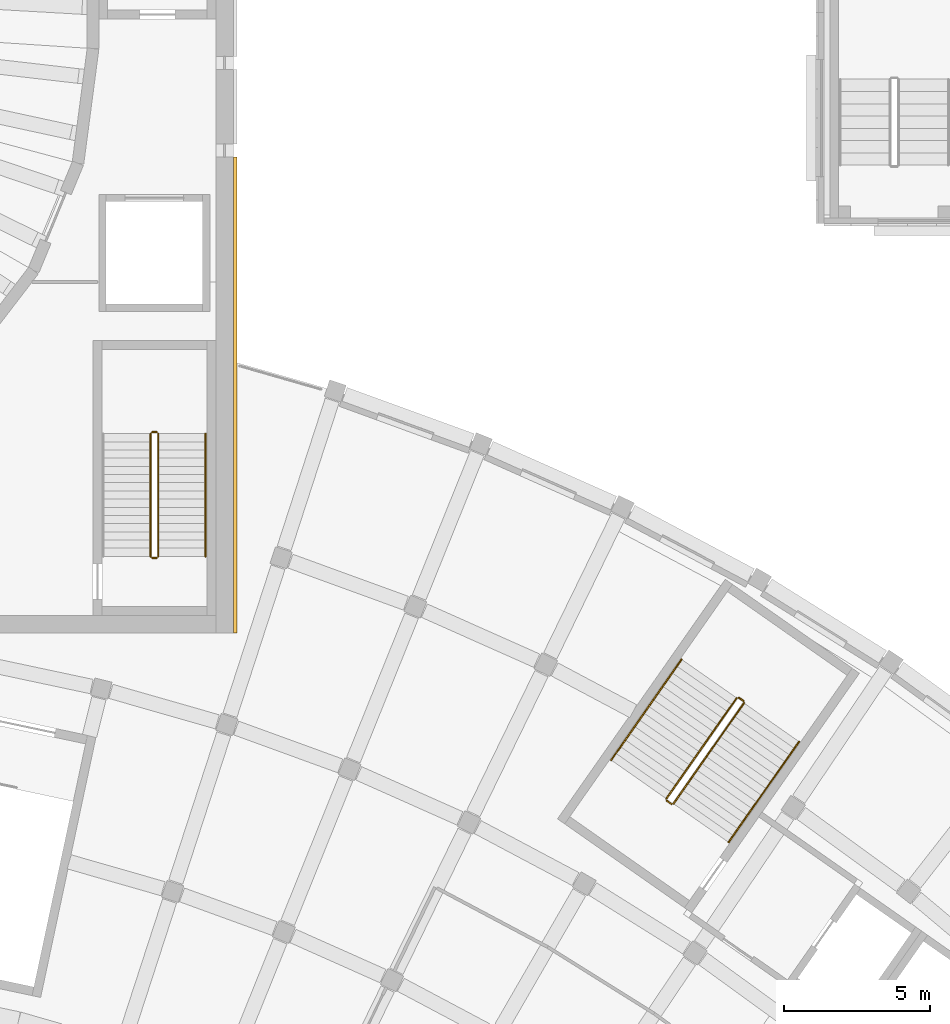
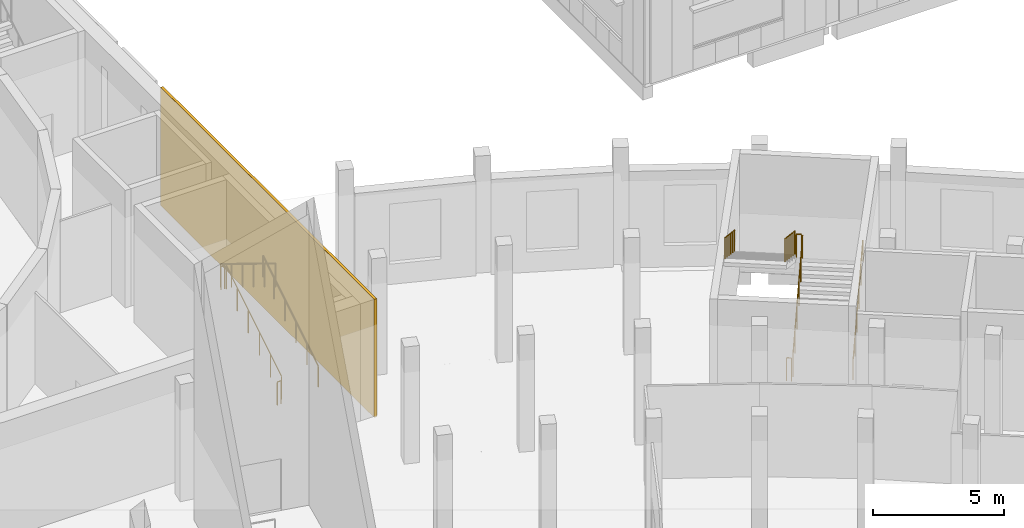
# One storey, part 61 of 87: 11 railings, 1 covering.
"""IFC4 building model written with IfcOpenShell, lengths in metres."""

from ifc_helpers import new_model, si_unit, direction, frame, origin, origin_2d, place, context, subcontext, project, spatial, rectangle, circle, extrude, material, layer, layer_set, type_object, element, save


model = new_model("IFC4")

# Units and contexts
model_context = context("Model", 3, precision=1e-05, world=origin(), true_north=direction((0.0, 1.0)))
body_context = subcontext(model_context, "Body", "Model", "MODEL_VIEW")
ifc_project = project(units=[si_unit("LENGTHUNIT", "METRE"), si_unit("AREAUNIT", "SQUARE_METRE"), si_unit("VOLUMEUNIT", "CUBIC_METRE"), si_unit("PLANEANGLEUNIT", "RADIAN"), si_unit("MASSUNIT", "GRAM", prefix="KILO")], contexts=[model_context])

# Site, building, storey
site_placement = place(None, origin())
site = spatial("IfcSite", under=ifc_project, at=site_placement, CompositionType="ELEMENT")
building_placement = place(site_placement, origin())
building = spatial("IfcBuilding", under=site, at=building_placement, Name="Lunette Opera House", CompositionType="ELEMENT")
storey_placement = place(building_placement, frame((0.0, 0.0, 11.5)))
storey = spatial("IfcBuildingStorey", under=building, at=storey_placement, Name="L02", CompositionType="ELEMENT", Elevation=11.5)

# Covering
ifc_material_1 = material(Name="Clinker brick", Category="masonry")
ifc_layer = layer(ifc_material_1, 0.114990234375)
ifc_layer_set = layer_set([ifc_layer], Name="Clinker brick")
covering_type = type_object("IfcCoveringType", Name="CLINKER CLADDING 115", PredefinedType="CLADDING", material=ifc_layer_set)
covering_placement = place(storey_placement, frame((116.05810546875, 72.137939453125, 0.0), z_axis=(0.0, 0.0, 1.0), x_axis=(1.0, 0.0, 0.0)))
element("IfcCovering", 1, at=covering_placement, inside=storey, type_object=covering_type, Name="Clinker cladding WE L02 1", PredefinedType="CLADDING", context=body_context, shape_type="SweptSolid", body=[
    extrude(rectangle(XDim=0.114990234375, YDim=16.27490234375, at=origin_2d()), origin(), (0.0, 0.0, 1.0), 5.5),
])

# Railings
ifc_material_2 = material(Name="Steel S355", Category="steel")
railing_type_1 = type_object("IfcRailingType", Name="STAIR GUARD 1100", PredefinedType="GUARDRAIL", material=ifc_material_2)
railing_1_placement = place(storey_placement, frame((131.051025390625, 58.16455078125, 0.171875)))
element("IfcRailing", 2, at=railing_1_placement, inside=storey, type_object=railing_type_1, Name="L02 ST3 stair guard 1", PredefinedType="GUARDRAIL", context=body_context, shape_type="SweptSolid", body=[
    extrude(circle(Radius=0.02392578125, at=origin_2d()), frame((0.0, 0.0, 1.076171875), z_axis=(0.488853125881, 0.698106835216, 0.523134273338), x_axis=(-0.819133598779, 0.573602778367, 0.0)), (0.0, 0.0, 1.0), 4.92822265625),
    extrude(circle(Radius=0.02099609375, at=origin_2d()), origin(), (0.0, 0.0, 1.0), 1.052001953125),
    extrude(circle(Radius=0.02099609375, at=origin_2d()), frame((0.48193359375, 0.68798828125, 0.515625)), (0.0, 0.0, 1.0), 1.052001953125),
    extrude(circle(Radius=0.02099609375, at=origin_2d()), frame((0.963623046875, 1.376220703125, 1.03125)), (0.0, 0.0, 1.0), 1.052001953125),
    extrude(circle(Radius=0.02099609375, at=origin_2d()), frame((1.445556640625, 2.064208984375, 1.546875)), (0.0, 0.0, 1.0), 1.052001953125),
    extrude(circle(Radius=0.02099609375, at=origin_2d()), frame((1.92724609375, 2.75244140625, 2.0625)), (0.0, 0.0, 1.0), 1.052001953125),
    extrude(circle(Radius=0.02099609375, at=origin_2d()), frame((2.4091796875, 3.4404296875, 2.578125)), (0.0, 0.0, 1.0), 1.052001953125),
])
railing_2_placement = place(storey_placement, frame((133.44775390625, 61.6748046875, 2.75)))
element("IfcRailing", 3, at=railing_2_placement, inside=storey, type_object=railing_type_1, Name="L02 ST3 stair guard 2", PredefinedType="GUARDRAIL", context=body_context, shape_type="SweptSolid", body=[
    extrude(circle(Radius=0.02392578125, at=origin_2d()), frame((0.0, 0.0, 1.076171875), z_axis=(-0.819289108261, 0.573380638917, 0.0), x_axis=(-0.573380638917, -0.819289108261, 0.0)), (0.0, 0.0, 1.0), 0.200439453125),
    extrude(circle(Radius=0.02099609375, at=origin_2d()), origin(), (0.0, 0.0, 1.0), 1.052001953125),
    extrude(circle(Radius=0.02099609375, at=origin_2d()), frame((-0.164306640625, 0.114990234375, 0.0)), (0.0, 0.0, 1.0), 1.052001953125),
])
railing_3_placement = place(storey_placement, frame((133.2138671875, 61.777587890625, 2.921875)))
element("IfcRailing", 4, at=railing_3_placement, inside=storey, type_object=railing_type_1, Name="L02 ST3 stair guard 3", PredefinedType="GUARDRAIL", context=body_context, shape_type="SweptSolid", body=[
    extrude(circle(Radius=0.02392578125, at=origin_2d()), frame((0.0, 0.0, 1.076171875), z_axis=(-0.488798518461, -0.69814913557, 0.523128849189), x_axis=(0.819180032231, -0.573536463352, 0.0)), (0.0, 0.0, 1.0), 4.92822265625),
    extrude(circle(Radius=0.02099609375, at=origin_2d()), origin(), (0.0, 0.0, 1.0), 1.052001953125),
    extrude(circle(Radius=0.02099609375, at=origin_2d()), frame((-0.481689453125, -0.688232421875, 0.515625)), (0.0, 0.0, 1.0), 1.052001953125),
    extrude(circle(Radius=0.02099609375, at=origin_2d()), frame((-0.963623046875, -1.376220703125, 1.03125)), (0.0, 0.0, 1.0), 1.052001953125),
    extrude(circle(Radius=0.02099609375, at=origin_2d()), frame((-1.4453125, -2.064453125, 1.546875)), (0.0, 0.0, 1.0), 1.052001953125),
    extrude(circle(Radius=0.02099609375, at=origin_2d()), frame((-1.92724609375, -2.75244140625, 2.0625)), (0.0, 0.0, 1.0), 1.052001953125),
    extrude(circle(Radius=0.02099609375, at=origin_2d()), frame((-2.408935546875, -3.440673828125, 2.578125)), (0.0, 0.0, 1.0), 1.052001953125),
])
railing_4_placement = place(storey_placement, frame((130.9814453125, 58.15234375, 0.0)))
element("IfcRailing", 5, at=railing_4_placement, inside=storey, type_object=railing_type_1, Name="L02 ST3 stair guard 4", PredefinedType="GUARDRAIL", context=body_context, shape_type="SweptSolid", body=[
    extrude(circle(Radius=0.02392578125, at=origin_2d()), frame((0.0, 0.0, 1.076171875), z_axis=(-0.819289108261, 0.573380638917, 0.0), x_axis=(-0.573380638917, -0.819289108261, 0.0)), (0.0, 0.0, 1.0), 0.200439453125),
    extrude(circle(Radius=0.02099609375, at=origin_2d()), origin(), (0.0, 0.0, 1.0), 1.052001953125),
    extrude(circle(Radius=0.02099609375, at=origin_2d()), frame((-0.164306640625, 0.114990234375, 0.0)), (0.0, 0.0, 1.0), 1.052001953125),
])
railing_5_placement = place(storey_placement, frame((113.429931640625, 66.6201171875, 0.171875)))
element("IfcRailing", 6, at=railing_5_placement, inside=storey, type_object=railing_type_1, Name="L02 ST8 stair guard 1", PredefinedType="GUARDRAIL", context=body_context, shape_type="SweptSolid", body=[
    extrude(circle(Radius=0.02392578125, at=origin_2d()), frame((0.0, 0.0, 1.076171875), z_axis=(0.0, 0.852242915053, 0.523146264196), x_axis=(-1.0, 0.0, 0.0)), (0.0, 0.0, 1.0), 4.92822265625),
    extrude(circle(Radius=0.02099609375, at=origin_2d()), origin(), (0.0, 0.0, 1.0), 1.052001953125),
    extrude(circle(Radius=0.02099609375, at=origin_2d()), frame((0.0, 0.840087890625, 0.515625)), (0.0, 0.0, 1.0), 1.052001953125),
    extrude(circle(Radius=0.02099609375, at=origin_2d()), frame((0.0, 1.679931640625, 1.03125)), (0.0, 0.0, 1.0), 1.052001953125),
    extrude(circle(Radius=0.02099609375, at=origin_2d()), frame((0.0, 2.52001953125, 1.546875)), (0.0, 0.0, 1.0), 1.052001953125),
    extrude(circle(Radius=0.02099609375, at=origin_2d()), frame((0.0, 3.35986328125, 2.0625)), (0.0, 0.0, 1.0), 1.052001953125),
    extrude(circle(Radius=0.02099609375, at=origin_2d()), frame((0.0, 4.199951171875, 2.578125)), (0.0, 0.0, 1.0), 1.052001953125),
])
railing_6_placement = place(storey_placement, frame((113.3798828125, 70.8701171875, 2.75)))
element("IfcRailing", 7, at=railing_6_placement, inside=storey, type_object=railing_type_1, Name="L02 ST8 stair guard 2", PredefinedType="GUARDRAIL", context=body_context, shape_type="SweptSolid", body=[
    extrude(circle(Radius=0.02392578125, at=origin_2d()), frame((0.0, 0.0, 1.076171875), z_axis=(-1.0, 0.0, 0.0), x_axis=(0.0, -1.0, 0.0)), (0.0, 0.0, 1.0), 0.159912109375),
    extrude(circle(Radius=0.02099609375, at=origin_2d()), origin(), (0.0, 0.0, 1.0), 1.052001953125),
    extrude(circle(Radius=0.02099609375, at=origin_2d()), frame((-0.159912109375, 0.0, 0.0)), (0.0, 0.0, 1.0), 1.052001953125),
])
railing_7_placement = place(storey_placement, frame((113.169921875, 70.820068359375, 2.921875)))
element("IfcRailing", 8, at=railing_7_placement, inside=storey, type_object=railing_type_1, Name="L02 ST8 stair guard 3", PredefinedType="GUARDRAIL", context=body_context, shape_type="SweptSolid", body=[
    extrude(circle(Radius=0.02392578125, at=origin_2d()), frame((0.0, 0.0, 1.076171875), z_axis=(0.0, -0.852242915053, 0.523146264196), x_axis=(1.0, 0.0, 0.0)), (0.0, 0.0, 1.0), 4.92822265625),
    extrude(circle(Radius=0.02099609375, at=origin_2d()), origin(), (0.0, 0.0, 1.0), 1.052001953125),
    extrude(circle(Radius=0.02099609375, at=origin_2d()), frame((0.0, -0.840087890625, 0.515625)), (0.0, 0.0, 1.0), 1.052001953125),
    extrude(circle(Radius=0.02099609375, at=origin_2d()), frame((0.0, -1.679931640625, 1.03125)), (0.0, 0.0, 1.0), 1.052001953125),
    extrude(circle(Radius=0.02099609375, at=origin_2d()), frame((0.0, -2.52001953125, 1.546875)), (0.0, 0.0, 1.0), 1.052001953125),
    extrude(circle(Radius=0.02099609375, at=origin_2d()), frame((0.0, -3.35986328125, 2.0625)), (0.0, 0.0, 1.0), 1.052001953125),
    extrude(circle(Radius=0.02099609375, at=origin_2d()), frame((0.0, -4.199951171875, 2.578125)), (0.0, 0.0, 1.0), 1.052001953125),
])
railing_8_placement = place(storey_placement, frame((113.3798828125, 66.570068359375, 0.0)))
element("IfcRailing", 9, at=railing_8_placement, inside=storey, type_object=railing_type_1, Name="L02 ST8 stair guard 4", PredefinedType="GUARDRAIL", context=body_context, shape_type="SweptSolid", body=[
    extrude(circle(Radius=0.02392578125, at=origin_2d()), frame((0.0, 0.0, 1.076171875), z_axis=(-1.0, 0.0, 0.0), x_axis=(0.0, -1.0, 0.0)), (0.0, 0.0, 1.0), 0.159912109375),
    extrude(circle(Radius=0.02099609375, at=origin_2d()), origin(), (0.0, 0.0, 1.0), 1.052001953125),
    extrude(circle(Radius=0.02099609375, at=origin_2d()), frame((-0.159912109375, 0.0, 0.0)), (0.0, 0.0, 1.0), 1.052001953125),
])
ifc_material_3 = material(Name="Steel S355", Category="steel")
railing_type_2 = type_object("IfcRailingType", Name="STAIR HANDRAIL 1000", PredefinedType="HANDRAIL", material=ifc_material_3)
railing_9_placement = place(storey_placement, frame((132.93505859375, 56.845458984375, 0.171875)))
element("IfcRailing", 10, at=railing_9_placement, inside=storey, type_object=railing_type_2, Name="L02 ST3 stair handrail 1", PredefinedType="HANDRAIL", context=body_context, shape_type="SweptSolid", body=[
    extrude(circle(Radius=0.02392578125, at=origin_2d()), frame((0.0, 0.0, 0.97607421875), z_axis=(0.488853125881, 0.698106835216, 0.523134273338), x_axis=(-0.819133598779, 0.573602778367, 0.0)), (0.0, 0.0, 1.0), 4.92822265625),
    extrude(circle(Radius=0.02099609375, at=origin_2d()), origin(), (0.0, 0.0, 1.0), 0.951904296875),
    extrude(circle(Radius=0.02099609375, at=origin_2d()), frame((0.48193359375, 0.68798828125, 0.515625)), (0.0, 0.0, 1.0), 0.951904296875),
    extrude(circle(Radius=0.02099609375, at=origin_2d()), frame((0.963623046875, 1.376220703125, 1.03125)), (0.0, 0.0, 1.0), 0.951904296875),
    extrude(circle(Radius=0.02099609375, at=origin_2d()), frame((1.445556640625, 2.064208984375, 1.546875)), (0.0, 0.0, 1.0), 0.951904296875),
    extrude(circle(Radius=0.02099609375, at=origin_2d()), frame((1.92724609375, 2.75244140625, 2.0625)), (0.0, 0.0, 1.0), 0.951904296875),
    extrude(circle(Radius=0.02099609375, at=origin_2d()), frame((2.4091796875, 3.4404296875, 2.578125)), (0.0, 0.0, 1.0), 0.951904296875),
])
railing_10_placement = place(storey_placement, frame((131.329833984375, 63.0966796875, 2.921875)))
element("IfcRailing", 11, at=railing_10_placement, inside=storey, type_object=railing_type_2, Name="L02 ST3 stair handrail 2", PredefinedType="HANDRAIL", context=body_context, shape_type="SweptSolid", body=[
    extrude(circle(Radius=0.02392578125, at=origin_2d()), frame((0.0, 0.0, 0.97607421875), z_axis=(-0.488815424036, -0.698123741311, 0.523146942112), x_axis=(0.819160910421, -0.573563773994, 0.0)), (0.0, 0.0, 1.0), 4.92822265625),
    extrude(circle(Radius=0.02099609375, at=origin_2d()), origin(), (0.0, 0.0, 1.0), 0.951904296875),
    extrude(circle(Radius=0.02099609375, at=origin_2d()), frame((-0.481689453125, -0.68798828125, 0.515625)), (0.0, 0.0, 1.0), 0.951904296875),
    extrude(circle(Radius=0.02099609375, at=origin_2d()), frame((-0.963623046875, -1.376220703125, 1.03125)), (0.0, 0.0, 1.0), 0.951904296875),
    extrude(circle(Radius=0.02099609375, at=origin_2d()), frame((-1.4453125, -2.064208984375, 1.546875)), (0.0, 0.0, 1.0), 0.951904296875),
    extrude(circle(Radius=0.02099609375, at=origin_2d()), frame((-1.92724609375, -2.75244140625, 2.0625)), (0.0, 0.0, 1.0), 0.951904296875),
    extrude(circle(Radius=0.02099609375, at=origin_2d()), frame((-2.408935546875, -3.4404296875, 2.578125)), (0.0, 0.0, 1.0), 0.951904296875),
])
railing_11_placement = place(storey_placement, frame((115.050048828125, 66.6201171875, 0.171875)))
element("IfcRailing", 12, at=railing_11_placement, inside=storey, type_object=railing_type_2, Name="L02 ST8 stair handrail 1", PredefinedType="HANDRAIL", context=body_context, shape_type="SweptSolid", body=[
    extrude(circle(Radius=0.02392578125, at=origin_2d()), frame((0.0, 0.0, 0.97607421875), z_axis=(0.0, 0.852242915053, 0.523146264196), x_axis=(-1.0, 0.0, 0.0)), (0.0, 0.0, 1.0), 4.92822265625),
    extrude(circle(Radius=0.02099609375, at=origin_2d()), origin(), (0.0, 0.0, 1.0), 0.951904296875),
    extrude(circle(Radius=0.02099609375, at=origin_2d()), frame((0.0, 0.840087890625, 0.515625)), (0.0, 0.0, 1.0), 0.951904296875),
    extrude(circle(Radius=0.02099609375, at=origin_2d()), frame((0.0, 1.679931640625, 1.03125)), (0.0, 0.0, 1.0), 0.951904296875),
    extrude(circle(Radius=0.02099609375, at=origin_2d()), frame((0.0, 2.52001953125, 1.546875)), (0.0, 0.0, 1.0), 0.951904296875),
    extrude(circle(Radius=0.02099609375, at=origin_2d()), frame((0.0, 3.35986328125, 2.0625)), (0.0, 0.0, 1.0), 0.951904296875),
    extrude(circle(Radius=0.02099609375, at=origin_2d()), frame((0.0, 4.199951171875, 2.578125)), (0.0, 0.0, 1.0), 0.951904296875),
])

save(model, "model.ifc")
